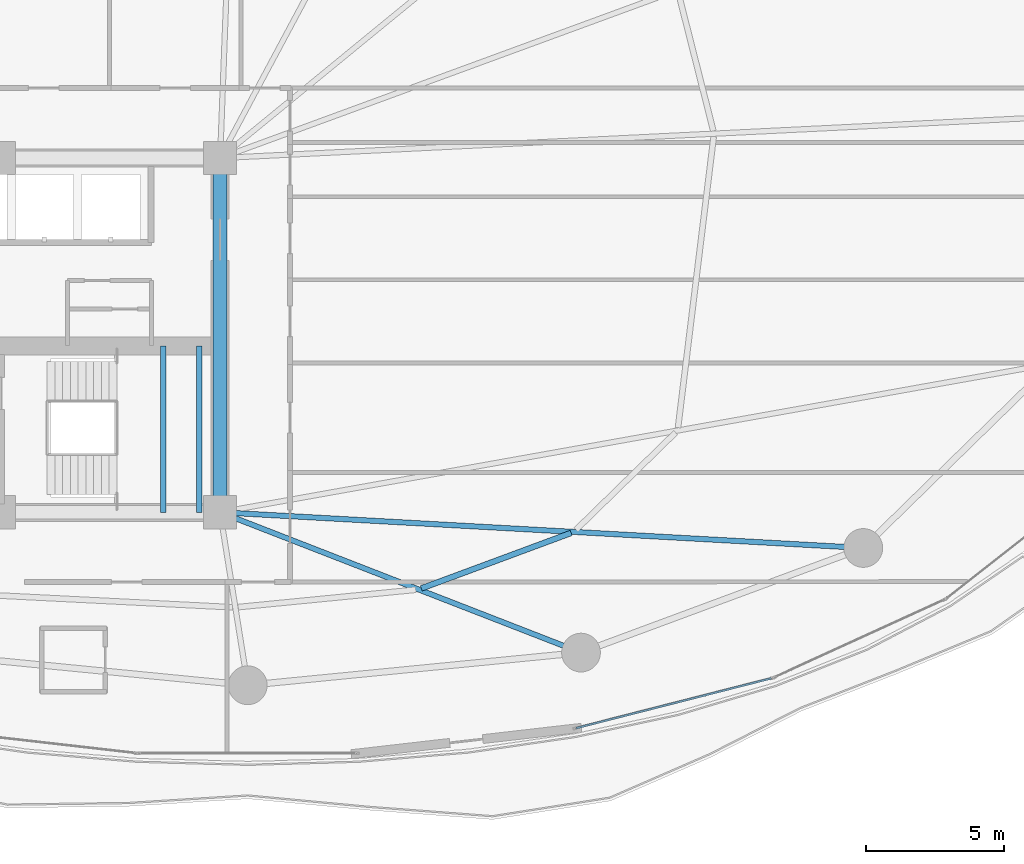
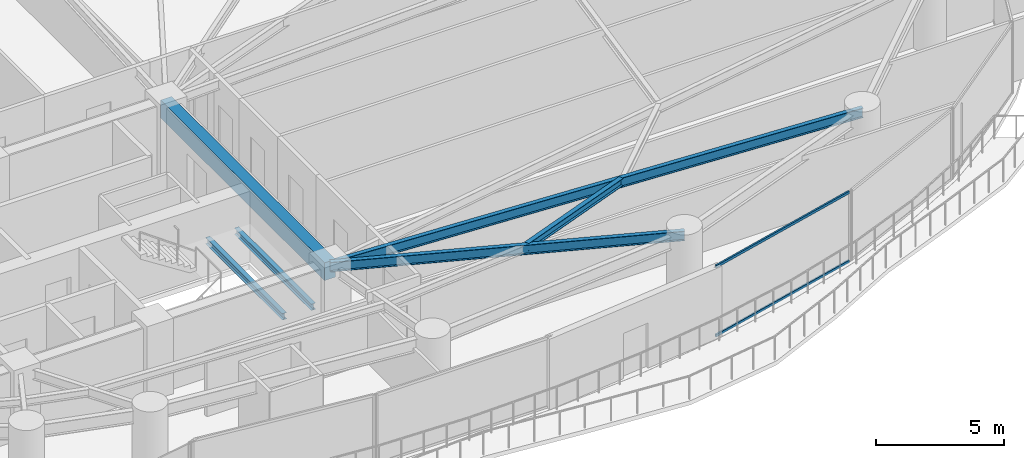
# One storey, part 12 of 33: 6 beams, 2 members, 1 element without a shape of its own.
"""IFC4 building model written with IfcOpenShell, lengths in metres."""

from ifc_helpers import new_model, si_unit, direction, frame, origin, origin_2d, place, context, subcontext, project, spatial, rectangle, hollow_rectangle, i_section, extrude, material, layer, layer_set, material_profile, profile_set, type_object, element, aggregate, save


model = new_model("IFC4")

# Units and contexts
model_context = context("Model", 3, precision=1e-05, world=origin(), true_north=direction((0.0, 1.0)))
body_context = subcontext(model_context, "Body", "Model", "MODEL_VIEW")
ifc_project = project(units=[si_unit("LENGTHUNIT", "METRE"), si_unit("AREAUNIT", "SQUARE_METRE"), si_unit("VOLUMEUNIT", "CUBIC_METRE"), si_unit("PLANEANGLEUNIT", "RADIAN"), si_unit("MASSUNIT", "GRAM", prefix="KILO")], contexts=[model_context])

# Site, building, storey
site_placement = place(None, origin())
site = spatial("IfcSite", under=ifc_project, at=site_placement, CompositionType="ELEMENT")
building_placement = place(site_placement, origin())
building = spatial("IfcBuilding", under=site, at=building_placement, Name="Kazevale Care Tower and Concert Hall", CompositionType="ELEMENT")
storey_placement = place(building_placement, frame((0.0, 0.0, 45.60009765625)))
storey = spatial("IfcBuildingStorey", under=building, at=storey_placement, Name="L11", CompositionType="ELEMENT", Elevation=45.60009765625)

# Curtain wall, members
ifc_material_1 = material(Name="Aluminium 6063-T6 and Low-E Glass", Category="aluminium")
ifc_layer = layer(ifc_material_1, 0.179931640625)
ifc_layer_set = layer_set([ifc_layer], Name="Aluminium 6063-T6 and Low-E Glass")
curtain_wall_type = type_object("IfcCurtainWallType", Name="Sheltered Concave Balcony Curtain Wall CW-5", PredefinedType="NOTDEFINED", material=ifc_layer_set)
curtain_wall_placement = place(storey_placement, origin())
curtain_wall = element("IfcCurtainWall", 1, at=curtain_wall_placement, inside=storey, type_object=curtain_wall_type, Name="cw:L11:f04", PredefinedType="NOTDEFINED")
ifc_material_2 = material(Name="Aluminium 6063-T6", Category="aluminium")
ifc_material_profile_1 = material_profile(ifc_material_2, hollow_rectangle(XDim=0.074951171875, YDim=0.1201171875, WallThickness=0.00390625, at=origin_2d()), Name="ALU75x120x4")
ifc_profile_set_1 = profile_set([ifc_material_profile_1], Name="Aluminium 6063-T6")
member_type = type_object("IfcMemberType", Name="CW-5 Transom ALU75x120x4", PredefinedType="USERDEFINED", material=ifc_profile_set_1)
member_1_placement = place(storey_placement, frame((63.915283203125, 17.599365234375, 0.037353515625), z_axis=(-0.968960816419, -0.24721435283, 0.0), x_axis=(0.24721435283, -0.968960816419, 0.0)))
member_1 = element("IfcMember", 2, at=member_1_placement, type_object=member_type, Name="CW-5 transom 1.1", ObjectType="TRANSOM", PredefinedType="USERDEFINED", context=body_context, shape_type="SweptSolid", body=[
    extrude(hollow_rectangle(XDim=0.074951171875, YDim=0.1201171875, WallThickness=0.00390625, at=origin_2d()), origin(), (0.0, 0.0, 1.0), 7.2763671875),
])
member_2_placement = place(storey_placement, frame((63.915283203125, 17.599365234375, 3.322509765625), z_axis=(-0.968960816419, -0.24721435283, 0.0), x_axis=(0.24721435283, -0.968960816419, 0.0)))
member_2 = element("IfcMember", 3, at=member_2_placement, type_object=member_type, Name="CW-5 transom 1.2", ObjectType="TRANSOM", PredefinedType="USERDEFINED", context=body_context, shape_type="SweptSolid", body=[
    extrude(hollow_rectangle(XDim=0.074951171875, YDim=0.1201171875, WallThickness=0.00390625, at=origin_2d()), origin(), (0.0, 0.0, 1.0), 7.2763671875),
])
aggregate(curtain_wall, [member_1, member_2])

# Beams
ifc_material_3 = material(Name="Concrete C60", Category="concrete")
ifc_material_profile_2 = material_profile(ifc_material_3, rectangle(XDim=0.5, YDim=0.85009765625, at=origin_2d()), Name="RC-B500x850")
ifc_profile_set_2 = profile_set([ifc_material_profile_2], Name="Concrete C60")
beam_type_1 = type_object("IfcBeamType", Name="Core Coupling Beam RC500x850", PredefinedType="LINTEL", material=ifc_profile_set_2)
beam_1_placement = place(storey_placement, frame((44.0, 23.60009765625, 2.934814453125), z_axis=(0.0, 1.0, 0.0), x_axis=(-1.0, 0.0, 0.0)))
element("IfcBeam", 4, at=beam_1_placement, inside=storey, type_object=beam_type_1, Name="beam:L11:coretie:4", PredefinedType="LINTEL", context=body_context, shape_type="SweptSolid", body=[
    extrude(rectangle(XDim=0.5, YDim=0.85009765625, at=origin_2d()), origin(), (0.0, 0.0, 1.0), 12.7998046875),
])
ifc_material_4 = material(Name="Steel ASTM A572 Gr 50", Category="steel")
ifc_material_profile_3 = material_profile(ifc_material_4, i_section(OverallWidth=0.19091796875, OverallDepth=0.4599609375, WebThickness=0.010009765625, FlangeThickness=0.01611328125, at=origin_2d()), Name="W460x82")
ifc_profile_set_3 = profile_set([ifc_material_profile_3], Name="Steel ASTM A572 Gr 50")
beam_type_2 = type_object("IfcBeamType", Name="Radial Floor Beam W460x82", PredefinedType="BEAM", material=ifc_profile_set_3)
beam_2_placement = place(storey_placement, frame((44.0, 23.60009765625, 3.1298828125), z_axis=(0.932030212407, -0.362380577792, 0.0), x_axis=(0.362380577792, 0.932030212407, 0.0)))
element("IfcBeam", 5, at=beam_2_placement, inside=storey, type_object=beam_type_2, Name="beam:L11:rad:14", PredefinedType="BEAM", context=body_context, shape_type="SweptSolid", body=[
    extrude(i_section(OverallWidth=0.19091796875, OverallDepth=0.4599609375, WebThickness=0.010009765625, FlangeThickness=0.01611328125, at=origin_2d()), origin(), (0.0, 0.0, 1.0), 13.990966796875),
])
beam_3_placement = place(storey_placement, frame((44.0, 23.60009765625, 3.1298828125), z_axis=(0.998462901796, -0.055424125948, 0.0), x_axis=(0.055424125948, 0.998462901796, 0.0)))
element("IfcBeam", 6, at=beam_3_placement, inside=storey, type_object=beam_type_2, Name="beam:L11:rad:15", PredefinedType="BEAM", context=body_context, shape_type="SweptSolid", body=[
    extrude(i_section(OverallWidth=0.19091796875, OverallDepth=0.4599609375, WebThickness=0.010009765625, FlangeThickness=0.01611328125, at=origin_2d()), origin(), (0.0, 0.0, 1.0), 23.27587890625),
])
ifc_material_profile_4 = material_profile(ifc_material_4, i_section(OverallWidth=0.205078125, OverallDepth=0.35400390625, WebThickness=0.009521484375, FlangeThickness=0.016845703125, at=origin_2d()), Name="W360x79")
ifc_profile_set_4 = profile_set([ifc_material_profile_4], Name="Steel ASTM A572 Gr 50")
beam_type_3 = type_object("IfcBeamType", Name="Secondary Floor Joist W360x79", PredefinedType="JOIST", material=ifc_profile_set_4)
beam_4_placement = place(storey_placement, frame((51.27001953125, 20.847900390625, 3.182861328125), z_axis=(0.937698254396, 0.347450692477, 0.0), x_axis=(-0.347450692477, 0.937698254396, 0.0)))
element("IfcBeam", 7, at=beam_4_placement, inside=storey, type_object=beam_type_3, Name="beam:L11:joist:14", PredefinedType="JOIST", context=body_context, shape_type="SweptSolid", body=[
    extrude(i_section(OverallWidth=0.205078125, OverallDepth=0.35400390625, WebThickness=0.009521484375, FlangeThickness=0.016845703125, at=origin_2d()), origin(), (0.0, 0.0, 1.0), 5.773681640625),
])
ifc_material_profile_5 = material_profile(ifc_material_4, i_section(OverallWidth=0.202880859375, OverallDepth=0.302978515625, WebThickness=0.007568359375, FlangeThickness=0.01318359375, at=origin_2d()), Name="W310x60")
ifc_profile_set_5 = profile_set([ifc_material_profile_5], Name="Steel ASTM A572 Gr 50")
beam_type_4 = type_object("IfcBeamType", Name="Stair & Balcony Trimmer W310x60", PredefinedType="BEAM", material=ifc_profile_set_5)
for number, where, z_axis, x_axis, name in (
    (8, (41.949951171875, 23.60009765625, 1.448486328125), (0.0, 1.0, 0.0), (-1.0, 0.0, 0.0), "beam:L11:sttrim:ST2"),
    (9, (43.25, 23.60009765625, 1.448486328125), (0.0, 1.0, 0.0), (-1.0, 0.0, 0.0), "beam:L11:sttrim:ST2b"),
):
    element("IfcBeam", number, at=place(storey_placement, frame(where, z_axis=z_axis, x_axis=x_axis)), inside=storey, type_object=beam_type_4, Name=name, PredefinedType="BEAM", context=body_context, shape_type="SweptSolid", body=[
        extrude(i_section(OverallWidth=0.202880859375, OverallDepth=0.302978515625, WebThickness=0.007568359375, FlangeThickness=0.01318359375, at=origin_2d()), origin(), (0.0, 0.0, 1.0), 6.0),
    ])

save(model, "model.ifc")
